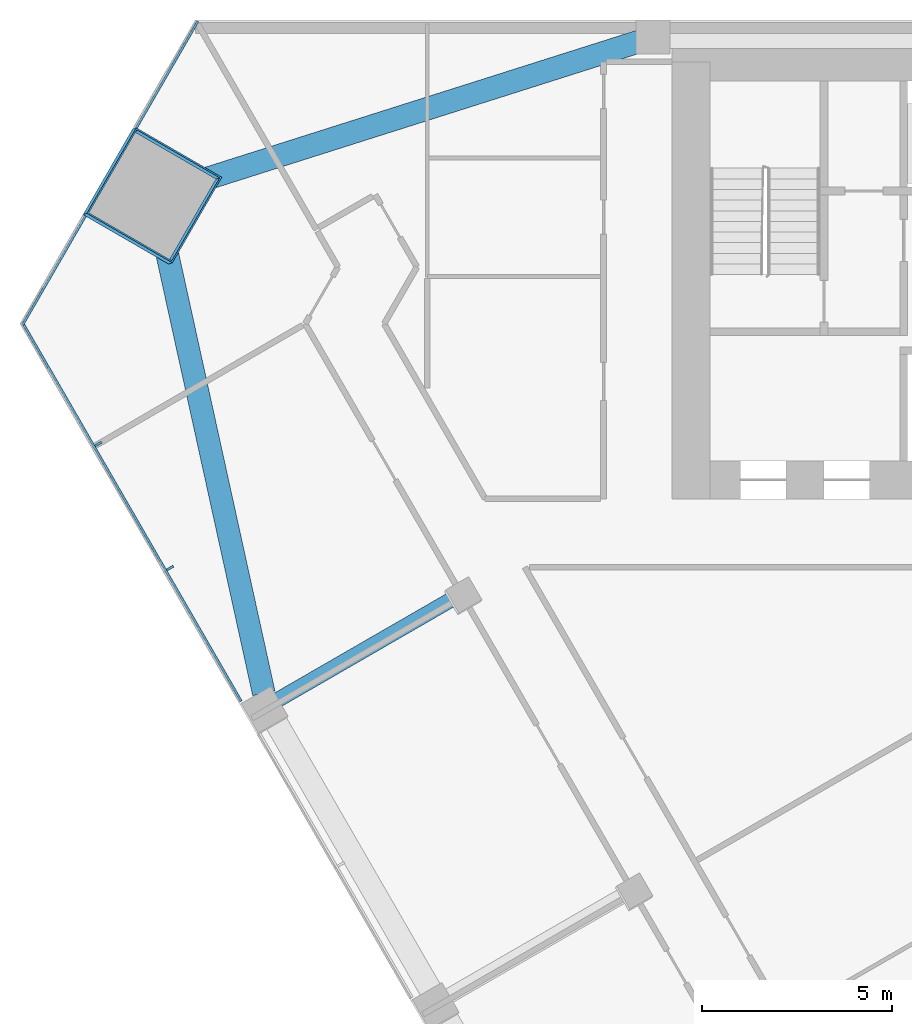
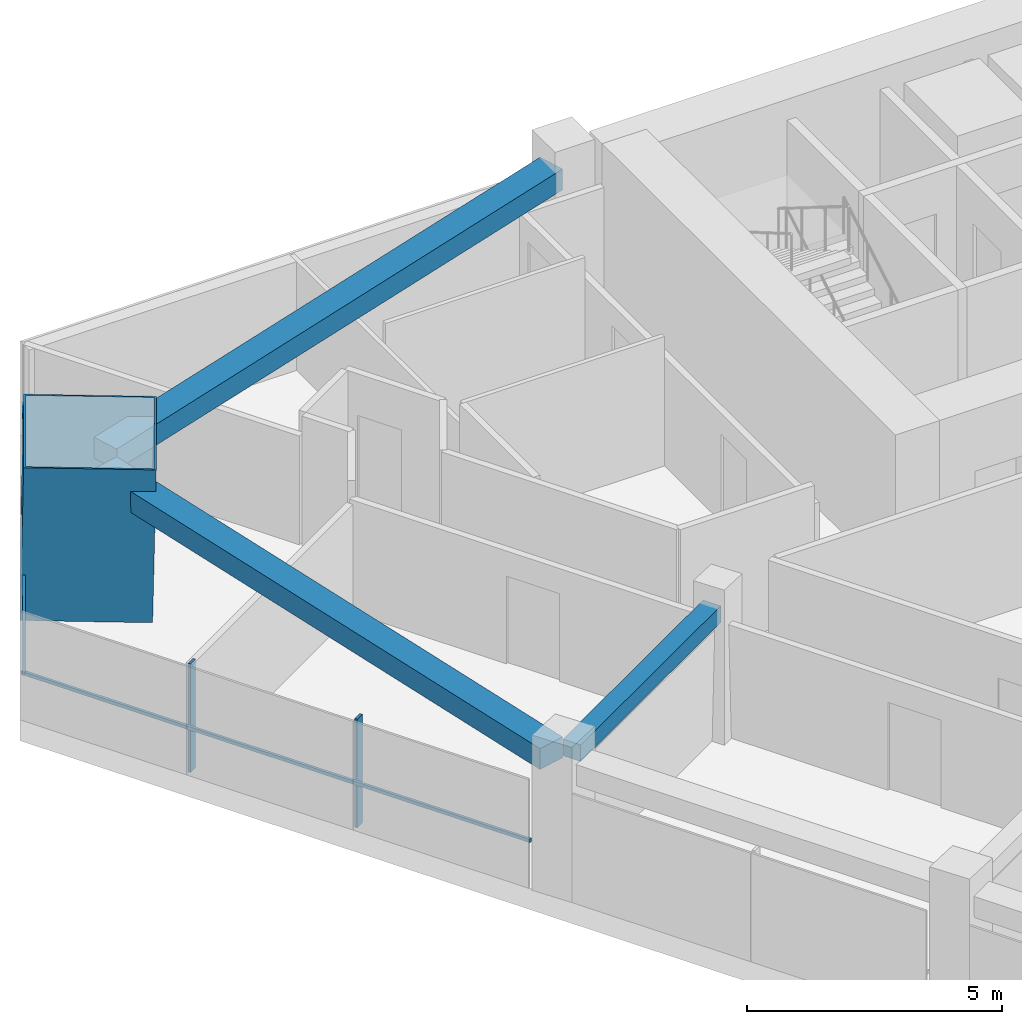
# One storey, part 5 of 14: 6 members, 3 beams, 2 elements without a shape of their own.
"""IFC4 building model written with IfcOpenShell, lengths in metres."""

from ifc_helpers import new_model, si_unit, direction, frame, origin, origin_2d, place, context, subcontext, project, spatial, rectangle, hollow_rectangle, extrude, material, layer, layer_set, material_profile, profile_set, type_object, element, aggregate, save


model = new_model("IFC4")

# Units and contexts
model_context = context("Model", 3, precision=1e-05, world=origin(), true_north=direction((0.0, 1.0)))
body_context = subcontext(model_context, "Body", "Model", "MODEL_VIEW")
ifc_project = project(units=[si_unit("LENGTHUNIT", "METRE"), si_unit("AREAUNIT", "SQUARE_METRE"), si_unit("VOLUMEUNIT", "CUBIC_METRE"), si_unit("PLANEANGLEUNIT", "RADIAN"), si_unit("MASSUNIT", "GRAM", prefix="KILO")], contexts=[model_context])

# Site, building, storey
site_placement = place(None, origin())
site = spatial("IfcSite", under=ifc_project, at=site_placement, CompositionType="ELEMENT")
building_placement = place(site_placement, origin())
building = spatial("IfcBuilding", under=site, at=building_placement, Name="Altiplano Prism Tower", CompositionType="ELEMENT")
storey_placement = place(building_placement, frame((0.0, 0.0, 63.0)))
storey = spatial("IfcBuildingStorey", under=building, at=storey_placement, Name="L15", CompositionType="ELEMENT", Elevation=63.0)

# Curtain wall, members
ifc_material_1 = material(Name="Aluminium and glass", Category="aluminium")
ifc_layer = layer(ifc_material_1, 0.303955078125)
ifc_layer_set = layer_set([ifc_layer], Name="Aluminium and glass")
curtain_wall_type = type_object("IfcCurtainWallType", Name="CW2 lounge-band unitised glazing", PredefinedType="NOTDEFINED", material=ifc_layer_set)
curtain_wall_1_placement = place(storey_placement, origin())
curtain_wall_1 = element("IfcCurtainWall", 1, at=curtain_wall_1_placement, inside=storey, type_object=curtain_wall_type, Name="CW2 curtain wall south-west face L15", PredefinedType="NOTDEFINED")
ifc_material_2 = material(Name="Aluminium", Category="aluminium")
ifc_material_profile_1 = material_profile(ifc_material_2, rectangle(XDim=0.199951171875, YDim=0.06005859375, at=origin_2d()), Name="CW2 mullion 60 x 200")
ifc_profile_set_1 = profile_set([ifc_material_profile_1], Name="Aluminium")
member_type_1 = type_object("IfcMemberType", Name="CW2 mullion 60 x 200", PredefinedType="MULLION", material=ifc_profile_set_1)
member_1_placement = place(storey_placement, frame((56.904296875, 93.842041015625, 0.0), z_axis=(0.0, 0.0, 1.0), x_axis=(0.866025409928, 0.499999989359, 0.0)))
member_1 = element("IfcMember", 2, at=member_1_placement, type_object=member_type_1, Name="CW2 mullion", PredefinedType="MULLION", context=body_context, shape_type="SweptSolid", body=[
    extrude(rectangle(XDim=0.199951171875, YDim=0.06005859375, at=origin_2d()), origin(), (0.0, 0.0, 1.0), 2.60009765625),
])
member_2_placement = place(storey_placement, frame((58.7900390625, 90.575927734375, 0.0), z_axis=(0.0, 0.0, 1.0), x_axis=(0.866025409928, 0.499999989359, 0.0)))
member_2 = element("IfcMember", 3, at=member_2_placement, type_object=member_type_1, Name="CW2 mullion", PredefinedType="MULLION", context=body_context, shape_type="SweptSolid", body=[
    extrude(rectangle(XDim=0.199951171875, YDim=0.06005859375, at=origin_2d()), origin(), (0.0, 0.0, 1.0), 2.60009765625),
])

curtain_wall_2_placement = place(storey_placement, origin())
curtain_wall_2 = element("IfcCurtainWall", 4, at=curtain_wall_2_placement, inside=storey, type_object=curtain_wall_type, Name="CW2 curtain wall north-west chamfer L15", PredefinedType="NOTDEFINED")
ifc_material_profile_2 = material_profile(ifc_material_2, rectangle(XDim=0.06005859375, YDim=0.080078125, at=origin_2d()), Name="CW2 transom 80 x 60")
ifc_profile_set_2 = profile_set([ifc_material_profile_2], Name="Aluminium")
member_type_2 = type_object("IfcMemberType", Name="CW2 transom 80 x 60", PredefinedType="USERDEFINED", material=ifc_profile_set_2)
member_3_placement = place(storey_placement, frame((59.52099609375, 104.962890625, 1.10009765625), z_axis=(-0.499961982265, -0.866047352222, 0.0), x_axis=(0.866047352222, -0.499961982265, 0.0)))
member_3 = element("IfcMember", 5, at=member_3_placement, type_object=member_type_2, Name="CW2 transom", ObjectType="TRANSOM", PredefinedType="USERDEFINED", context=body_context, shape_type="SweptSolid", body=[
    extrude(rectangle(XDim=0.06005859375, YDim=0.080078125, at=origin_2d()), origin(), (0.0, 0.0, 1.0), 3.235107421875),
])
member_4_placement = place(storey_placement, frame((56.5634765625, 99.84033203125, 1.10009765625), z_axis=(-0.499964696859, -0.866045785103, 0.0), x_axis=(0.866045785103, -0.499964696859, 0.0)))
member_4 = element("IfcMember", 6, at=member_4_placement, type_object=member_type_2, Name="CW2 transom", ObjectType="TRANSOM", PredefinedType="USERDEFINED", context=body_context, shape_type="SweptSolid", body=[
    extrude(rectangle(XDim=0.06005859375, YDim=0.080078125, at=origin_2d()), origin(), (0.0, 0.0, 1.0), 3.315185546875),
])
aggregate(curtain_wall_2, [member_3, member_4])

# Member
member_5_placement = place(storey_placement, frame((54.906005859375, 97.043212890625, 1.10009765625), z_axis=(0.499991056625, -0.866030567183, 0.0), x_axis=(0.866030567183, 0.499991056625, 0.0)))
member_5 = element("IfcMember", 7, at=member_5_placement, type_object=member_type_2, Name="CW2 transom", ObjectType="TRANSOM", PredefinedType="USERDEFINED", context=body_context, shape_type="SweptSolid", body=[
    extrude(rectangle(XDim=0.06005859375, YDim=0.080078125, at=origin_2d()), origin(), (0.0, 0.0, 1.0), 11.513427734375),
])

aggregate(curtain_wall_1, [member_1, member_2, member_5])

# Beams
ifc_material_3 = material(Name="Concrete C60/75", Category="concrete")
ifc_material_profile_3 = material_profile(ifc_material_3, rectangle(XDim=0.60009765625, YDim=0.5, at=origin_2d()), Name="Edge beam 600x500")
ifc_profile_set_3 = profile_set([ifc_material_profile_3], Name="Concrete C60/75")
beam_type_1 = type_object("IfcBeamType", Name="Edge beam 600x500", PredefinedType="SPANDREL", material=ifc_profile_set_3)
for number, where, z_axis, x_axis, name in (
    (8, (71.164306640625, 104.443603515625, 2.85009765625), (-0.953168822774, -0.302438746347, 0.0), (0.302438746347, -0.953168822774, 0.0), "Edge beam P04-M0 L16"),
    (9, (58.47412109375, 99.947021484375, 2.85009765625), (0.214686837095, -0.976682938306, 0.0), (0.976682938306, 0.214686837095, 0.0), "Edge beam M0-P11 L16"),
):
    element("IfcBeam", number, at=place(storey_placement, frame(where, z_axis=z_axis, x_axis=x_axis)), inside=storey, type_object=beam_type_1, Name=name, PredefinedType="SPANDREL", context=body_context, shape_type="SweptSolid", body=[
        extrude(rectangle(XDim=0.60009765625, YDim=0.5, at=origin_2d()), origin(), (0.0, 0.0, 1.0), 12.965087890625),
    ])

# Member
ifc_material_4 = material(Name="Steel S460", Category="steel")
ifc_material_profile_4 = material_profile(ifc_material_4, hollow_rectangle(XDim=2.60009765625, YDim=2.60009765625, WallThickness=0.0400390625, at=origin_2d()), Name="Mega column tube 2600")
ifc_profile_set_4 = profile_set([ifc_material_profile_4], Name="Steel S460")
member_type_3 = type_object("IfcMemberType", Name="Mega column tube 2600", PredefinedType="POST", material=ifc_profile_set_4)
member_6_placement = place(storey_placement, frame((58.275390625, 100.353271484375, 0.0), z_axis=(0.028334084323, 0.009218745139, 0.999555998633), x_axis=(-0.865474588782, 0.500556748558, 0.019916767958)))
element("IfcMember", 10, at=member_6_placement, inside=storey, type_object=member_type_3, Name="Mega column tube M0 L15", PredefinedType="POST", context=body_context, shape_type="SweptSolid", body=[
    extrude(hollow_rectangle(XDim=2.60009765625, YDim=2.60009765625, WallThickness=0.0400390625, at=origin_2d()), origin(), (0.0, 0.0, 1.0), 3.601806640625),
])

# Beam
ifc_material_profile_5 = material_profile(ifc_material_3, rectangle(XDim=0.39990234375, YDim=0.39990234375, at=origin_2d()), Name="Tie beam 400x400")
ifc_profile_set_5 = profile_set([ifc_material_profile_5], Name="Concrete C60/75")
beam_type_2 = type_object("IfcBeamType", Name="Tie beam 400x400", PredefinedType="BEAM", material=ifc_profile_set_5)
beam_placement = place(storey_placement, frame((66.373291015625, 89.850341796875, 2.89990234375), z_axis=(-0.866031549307, -0.499989355492, 0.0), x_axis=(0.499989355492, -0.866031549307, 0.0)))
element("IfcBeam", 11, at=beam_placement, inside=storey, type_object=beam_type_2, Name="Tie beam I11 L16", PredefinedType="BEAM", context=body_context, shape_type="SweptSolid", body=[
    extrude(rectangle(XDim=0.39990234375, YDim=0.39990234375, at=origin_2d()), origin(), (0.0, 0.0, 1.0), 5.48974609375),
])

save(model, "model.ifc")
